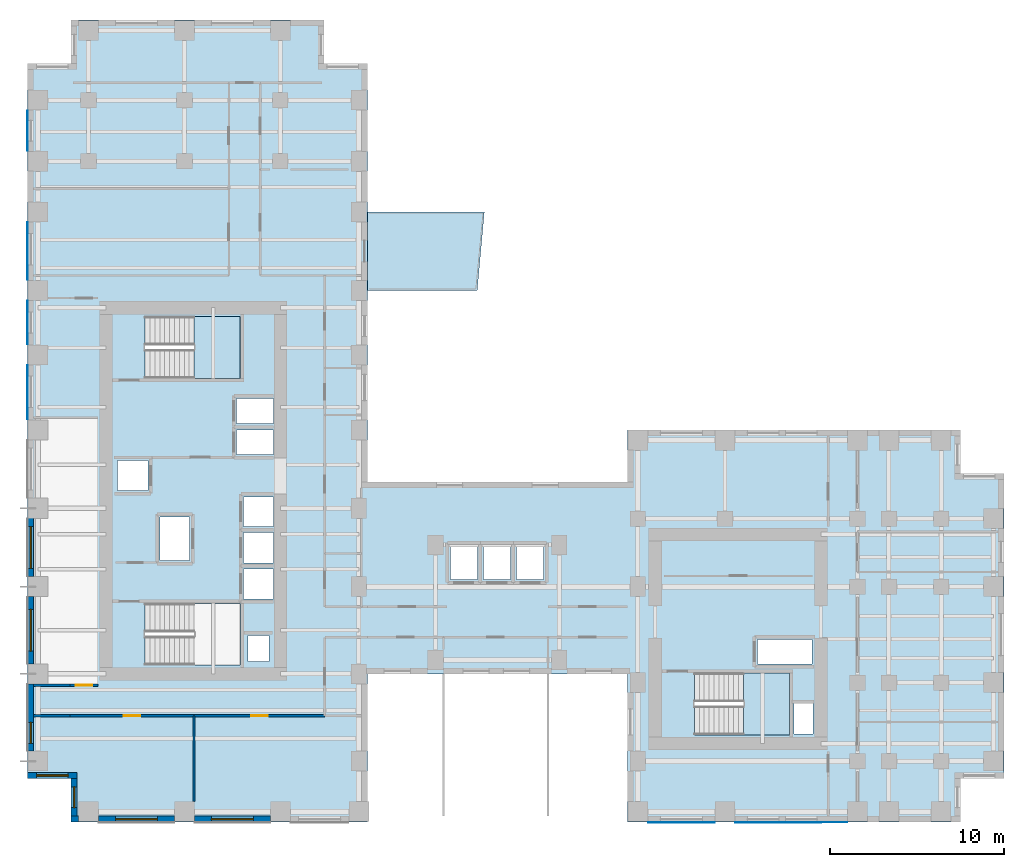
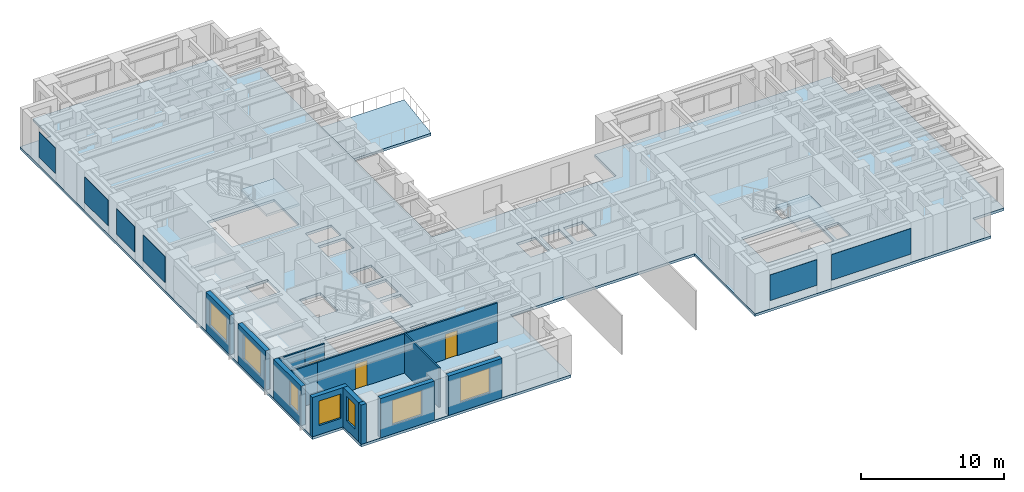
# One storey, part 3 of 11: 14 walls, 7 windows, 6 plates, 4 slabs, 3 doors, 10 openings, 2 elements without a shape of their own.
"""IFC4 building model written with IfcOpenShell, lengths in metres."""

from ifc_helpers import new_model, si_unit, direction, frame, frame_2d, origin, origin_2d, place, context, subcontext, project, spatial, polyline, rectangle, outline, extrude, source, transform, mapped, material, layer, layer_set, type_object, element, fill, aggregate, save


model = new_model("IFC4")

# Units and contexts
model_context = context("Model", 3, precision=1e-05, world=origin(), true_north=direction((0.0, 1.0)))
body_context = subcontext(model_context, "Body", "Model", "MODEL_VIEW")
ifc_project = project(units=[si_unit("LENGTHUNIT", "METRE"), si_unit("AREAUNIT", "SQUARE_METRE"), si_unit("VOLUMEUNIT", "CUBIC_METRE"), si_unit("PLANEANGLEUNIT", "RADIAN"), si_unit("MASSUNIT", "GRAM", prefix="KILO")], contexts=[model_context])

# Site, building, storey
site_placement = place(None, origin())
site = spatial("IfcSite", under=ifc_project, at=site_placement, CompositionType="ELEMENT")
building_placement = place(site_placement, origin())
building = spatial("IfcBuilding", under=site, at=building_placement, Name="Kharzan Plaza Tower", CompositionType="ELEMENT")
storey_placement = place(building_placement, frame((0.0, 0.0, 113.39990234375)))
storey = spatial("IfcBuildingStorey", under=building, at=storey_placement, Name="L30", CompositionType="ELEMENT", Elevation=113.39990234375)

# Slab
ifc_material_1 = material(Name="Concrete C40/50", Category="concrete")
ifc_layer_1 = layer(ifc_material_1, 0.219970703125)
ifc_layer_set_1 = layer_set([ifc_layer_1], Name="Concrete C40/50")
slab_type_1 = type_object("IfcSlabType", Name="SL-FLOOR-220", PredefinedType="FLOOR", material=ifc_layer_set_1)
slab_1_placement = place(storey_placement, frame((0.0, 0.0, -0.219970703125)))
element("IfcSlab", 1, at=slab_1_placement, inside=storey, type_object=slab_type_1, Name="L30 Composite Structural Floor Slab 220 mm", PredefinedType="FLOOR", context=body_context, shape_type="SweptSolid", body=[
    extrude(outline(polyline([(34.39990234375, 19.5), (19.5, 19.5), (19.5, 43.5), (17.0, 43.5), (17.0, 46.0), (2.5, 46.0), (2.5, 43.5), (0.0, 43.5), (0.0, 2.5), (2.5, 2.5), (2.5, 0.0), (19.5, 0.0), (19.5, 8.5), (34.39990234375, 8.5), (34.39990234375, 0.0), (53.5, 0.0), (53.5, 2.5), (56.0, 2.5), (56.0, 20.0), (53.5, 20.0), (53.5, 22.5), (34.39990234375, 22.5), (34.39990234375, 19.5)]), holes=[polyline([(12.199951171875, 9.0), (12.199951171875, 12.550048828125), (6.75, 12.550048828125), (6.75, 9.0), (12.199951171875, 9.0)]), polyline([(14.10009765625, 12.800048828125), (14.10009765625, 14.530029296875), (12.39990234375, 14.530029296875), (12.39990234375, 12.800048828125), (14.10009765625, 12.800048828125)]), polyline([(14.10009765625, 14.8701171875), (14.10009765625, 16.60009765625), (12.39990234375, 16.60009765625), (12.39990234375, 14.8701171875), (14.10009765625, 14.8701171875)]), polyline([(9.300048828125, 15.0), (9.300048828125, 17.5), (7.60009765625, 17.5), (7.60009765625, 15.0), (9.300048828125, 15.0)]), polyline([(6.89990234375, 19.010009765625), (6.89990234375, 20.72998046875), (5.14990234375, 20.72998046875), (5.14990234375, 19.010009765625), (6.89990234375, 19.010009765625)]), polyline([(14.10009765625, 21.070068359375), (14.10009765625, 22.489990234375), (12.0, 22.489990234375), (12.0, 21.070068359375), (14.10009765625, 21.070068359375)]), polyline([(14.10009765625, 22.8701171875), (14.10009765625, 24.2900390625), (12.0, 24.2900390625), (12.0, 22.8701171875), (14.10009765625, 22.8701171875)]), polyline([(12.199951171875, 25.449951171875), (12.199951171875, 29.0), (6.75, 29.0), (6.75, 25.449951171875), (12.199951171875, 25.449951171875)]), polyline([(45.050048828125, 5.050048828125), (45.050048828125, 6.800048828125), (43.949951171875, 6.800048828125), (43.949951171875, 5.050048828125), (45.050048828125, 5.050048828125)]), polyline([(43.699951171875, 5.0), (43.699951171875, 8.550048828125), (38.25, 8.550048828125), (38.25, 5.0), (43.699951171875, 5.0)]), polyline([(45.0, 9.070068359375), (45.0, 10.469970703125), (41.85009765625, 10.469970703125), (41.85009765625, 9.070068359375), (45.0, 9.070068359375)]), polyline([(13.85009765625, 9.199951171875), (13.85009765625, 10.699951171875), (12.64990234375, 10.699951171875), (12.64990234375, 9.199951171875), (13.85009765625, 9.199951171875)]), polyline([(25.800048828125, 13.89990234375), (25.800048828125, 15.85009765625), (24.25, 15.85009765625), (24.25, 13.89990234375), (25.800048828125, 13.89990234375)]), polyline([(27.699951171875, 13.89990234375), (27.699951171875, 15.85009765625), (26.14990234375, 15.85009765625), (26.14990234375, 13.89990234375), (27.699951171875, 13.89990234375)]), polyline([(29.60009765625, 13.89990234375), (29.60009765625, 15.85009765625), (28.050048828125, 15.85009765625), (28.050048828125, 13.89990234375), (29.60009765625, 13.89990234375)]), polyline([(14.10009765625, 16.93994140625), (14.10009765625, 18.64990234375), (12.39990234375, 18.64990234375), (12.39990234375, 16.93994140625), (14.10009765625, 16.93994140625)])]), origin(), (0.0, 0.0, 1.0), 0.219970703125),
])

# Stair, slab
stair_type_1 = type_object("IfcStairType", Name="STR-ST-2", PredefinedType="HALF_TURN_STAIR", material=ifc_material_1)
stair_1_placement = place(storey_placement, origin())
stair_1 = element("IfcStair", 2, at=stair_1_placement, inside=storey, type_object=stair_type_1, Name="L30 Protected Exit Stair ST-2", PredefinedType="HALF_TURN_STAIR")
ifc_layer_2 = layer(ifc_material_1, 0.219970703125)
ifc_layer_set_2 = layer_set([ifc_layer_2], Name="Concrete C40/50")
slab_type_2 = type_object("IfcSlabType", Name="SL-LANDING-220", PredefinedType="LANDING", material=ifc_layer_set_2)
slab_2_placement = place(storey_placement, frame((0.0, 0.0, 1.60009765625)))
slab_2 = element("IfcSlab", 3, at=slab_2_placement, type_object=slab_type_2, Name="ST-2 landing 1", PredefinedType="LANDING", context=body_context, shape_type="SweptSolid", body=[
    extrude(outline(polyline([(9.550048828125, 25.449951171875), (12.199951171875, 25.449951171875), (12.199951171875, 29.0), (9.550048828125, 29.0), (9.550048828125, 25.449951171875)])), origin(), (0.0, 0.0, 1.0), 0.199951171875),
])
aggregate(stair_1, [slab_2])

stair_type_2 = type_object("IfcStairType", Name="STR-ST-3", PredefinedType="HALF_TURN_STAIR", material=ifc_material_1)
stair_2_placement = place(storey_placement, origin())
stair_2 = element("IfcStair", 4, at=stair_2_placement, inside=storey, type_object=stair_type_2, Name="L30 Protected Exit Stair ST-3", PredefinedType="HALF_TURN_STAIR")
slab_3_placement = place(storey_placement, frame((0.0, 0.0, 1.60009765625)))
slab_3 = element("IfcSlab", 5, at=slab_3_placement, type_object=slab_type_2, Name="ST-3 landing 1", PredefinedType="LANDING", context=body_context, shape_type="SweptSolid", body=[
    extrude(outline(polyline([(41.050048828125, 5.0), (43.699951171875, 5.0), (43.699951171875, 8.550048828125), (41.050048828125, 8.550048828125), (41.050048828125, 5.0)])), origin(), (0.0, 0.0, 1.0), 0.199951171875),
])
aggregate(stair_2, [slab_3])

# Slab
ifc_layer_3 = layer(ifc_material_1, 0.215087890625)
ifc_layer_set_3 = layer_set([ifc_layer_3], Name="Concrete C40/50")
slab_type_3 = type_object("IfcSlabType", Name="SL-TRAY-215", PredefinedType="ROOF", material=ifc_layer_set_3)
slab_4_placement = place(storey_placement, frame((0.0, 0.0, -0.21484375)))
element("IfcSlab", 6, at=slab_4_placement, inside=storey, type_object=slab_type_3, Name="L30 Sky Terrace Tray Slab", PredefinedType="ROOF", context=body_context, shape_type="SweptSolid", body=[
    extrude(outline(polyline([(19.5, 30.5), (25.7900390625, 30.5), (26.199951171875, 35.0), (19.5, 35.0), (19.5, 30.5)])), origin(), (0.0, 0.0, 1.0), 0.21484375),
])

# Plates
ifc_material_2 = material(Name="Perforated Bronze-Anodized Aluminium", Category="aluminium")
ifc_layer_4 = layer(ifc_material_2, 0.030029296875)
ifc_layer_set_4 = layer_set([ifc_layer_4], Name="Perforated Bronze-Anodized Aluminium")
plate_type = type_object("IfcPlateType", Name="PLT-MASH-SCREEN", PredefinedType="SHEET", material=ifc_layer_set_4)
shared_shape_1 = source(origin(), body_context, "Body", "SweptSolid", [
    extrude(rectangle(XDim=2.31396484375, YDim=0.030029296875, at=origin_2d()), origin(), (0.0, 0.0, 1.0), 2.199951171875),
])
plate_1_placement = place(storey_placement, frame((-0.012939453125, 39.64990234375, 0.72998046875), z_axis=(0.0, 0.0, 1.0), x_axis=(0.0, -1.0, 0.0)))
element("IfcPlate", 7, at=plate_1_placement, inside=storey, type_object=plate_type, Name="L30 Perforated Mashrabiya Solar Screen", PredefinedType="SHEET", context=body_context, shape_type="MappedRepresentation", body=[
    mapped(shared_shape_1, transform((0.0, 0.0, 0.0), x_axis=(1.0, 0.0, 0.0), y_axis=(0.0, 1.0, 0.0), z_axis=(0.0, 0.0, 1.0))),
])
shared_shape_2 = source(origin(), body_context, "Body", "SweptSolid", [
    extrude(rectangle(XDim=3.31396484375, YDim=0.030029296875, at=origin_2d()), origin(), (0.0, 0.0, 1.0), 2.199951171875),
])
plate_2_placement = place(storey_placement, frame((-0.012939453125, 32.75, 0.72998046875), z_axis=(0.0, 0.0, 1.0), x_axis=(0.0, -1.0, 0.0)))
element("IfcPlate", 8, at=plate_2_placement, inside=storey, type_object=plate_type, Name="L30 Perforated Mashrabiya Solar Screen", PredefinedType="SHEET", context=body_context, shape_type="MappedRepresentation", body=[
    mapped(shared_shape_2, transform((0.0, 0.0, 0.0), x_axis=(1.0, 0.0, 0.0), y_axis=(0.0, 1.0, 0.0), z_axis=(0.0, 0.0, 1.0))),
])
shared_shape_3 = source(origin(), body_context, "Body", "SweptSolid", [
    extrude(rectangle(XDim=2.513916015625, YDim=0.030029296875, at=origin_2d()), origin(), (0.0, 0.0, 1.0), 2.199951171875),
])
plate_3_placement = place(storey_placement, frame((-0.012939453125, 28.64990234375, 0.72998046875), z_axis=(0.0, 0.0, 1.0), x_axis=(0.0, -1.0, 0.0)))
element("IfcPlate", 9, at=plate_3_placement, inside=storey, type_object=plate_type, Name="L30 Perforated Mashrabiya Solar Screen", PredefinedType="SHEET", context=body_context, shape_type="MappedRepresentation", body=[
    mapped(shared_shape_3, transform((0.0, 0.0, 0.0), x_axis=(1.0, 0.0, 0.0), y_axis=(0.0, 1.0, 0.0), z_axis=(0.0, 0.0, 1.0))),
])
shared_shape_4 = source(origin(), body_context, "Body", "SweptSolid", [
    extrude(rectangle(XDim=3.81396484375, YDim=0.030029296875, at=origin_2d()), origin(), (0.0, 0.0, 1.0), 2.199951171875),
])
plate_4_placement = place(storey_placement, frame((37.5, -0.012939453125, 0.72998046875), z_axis=(0.0, 0.0, 1.0), x_axis=(1.0, 0.0, 0.0)))
element("IfcPlate", 10, at=plate_4_placement, inside=storey, type_object=plate_type, Name="L30 Perforated Mashrabiya Solar Screen", PredefinedType="SHEET", context=body_context, shape_type="MappedRepresentation", body=[
    mapped(shared_shape_4, transform((0.0, 0.0, 0.0), x_axis=(1.0, 0.0, 0.0), y_axis=(0.0, 1.0, 0.0), z_axis=(0.0, 0.0, 1.0))),
])
shared_shape_5 = source(origin(), body_context, "Body", "SweptSolid", [
    extrude(rectangle(XDim=6.4140625, YDim=0.030029296875, at=origin_2d()), origin(), (0.0, 0.0, 1.0), 2.199951171875),
])
plate_5_placement = place(storey_placement, frame((43.800048828125, -0.012939453125, 0.72998046875), z_axis=(0.0, 0.0, 1.0), x_axis=(1.0, 0.0, 0.0)))
element("IfcPlate", 11, at=plate_5_placement, inside=storey, type_object=plate_type, Name="L30 Perforated Mashrabiya Solar Screen", PredefinedType="SHEET", context=body_context, shape_type="MappedRepresentation", body=[
    mapped(shared_shape_5, transform((0.0, 0.0, 0.0), x_axis=(1.0, 0.0, 0.0), y_axis=(0.0, 1.0, 0.0), z_axis=(0.0, 0.0, 1.0))),
])
shared_shape_6 = source(origin(), body_context, "Body", "SweptSolid", [
    extrude(rectangle(XDim=3.114013671875, YDim=0.030029296875, at=origin_2d()), origin(), (0.0, 0.0, 1.0), 2.199951171875),
])
plate_6_placement = place(storey_placement, frame((-0.012939453125, 24.64990234375, 0.72998046875), z_axis=(0.0, 0.0, 1.0), x_axis=(0.0, -1.0, 0.0)))
element("IfcPlate", 12, at=plate_6_placement, inside=storey, type_object=plate_type, Name="L30 Perforated Mashrabiya Solar Screen", PredefinedType="SHEET", context=body_context, shape_type="MappedRepresentation", body=[
    mapped(shared_shape_6, transform((0.0, 0.0, 0.0), x_axis=(1.0, 0.0, 0.0), y_axis=(0.0, 1.0, 0.0), z_axis=(0.0, 0.0, 1.0))),
])

# Wall, opening, window
ifc_layer_5 = layer(ifc_material_1, 0.35009765625)
ifc_layer_set_5 = layer_set([ifc_layer_5], Name="Concrete C40/50")
wall_type_1 = type_object("IfcWallType", Name="WL-EXT-MAS-Z2", PredefinedType="SOLIDWALL", material=ifc_layer_set_5)
wall_1_placement = place(storey_placement, frame((0.175048828125, 17.427001953125, 0.0), z_axis=(0.0, 0.0, 1.0), x_axis=(0.0, -1.0, 0.0)))
wall_1 = element("IfcWall", 13, at=wall_1_placement, inside=storey, type_object=wall_type_1, Name="L30 Masonry-Frame Exterior Wall 23", PredefinedType="SOLIDWALL", context=body_context, shape_type="SweptSolid", body=[
    extrude(rectangle(XDim=3.35400390625, YDim=0.35009765625, at=frame_2d((1.677001953125, 0.0))), origin(), (0.0, 0.0, 1.0), 3.364990234375),
])
opening_1_placement = place(wall_1_placement, frame((0.47705078125, 0.0, 0.780029296875)))
opening_1 = element("IfcOpeningElement", 14, at=opening_1_placement, cuts=wall_1, Name="Opening W2", PredefinedType="OPENING", context=body_context, shape_type="SweptSolid", body=[
    extrude(rectangle(XDim=2.39990234375, YDim=2.10009765625, at=frame_2d((1.199951171875, 1.050048828125))), frame((0.0, 0.18505859375, 0.0), z_axis=(0.0, -1.0, 0.0), x_axis=(1.0, 0.0, 0.0)), (0.0, 0.0, 1.0), 0.3701171875),
])
ifc_material_3 = material(Name="Low-E Double Glazing", Category="glass")
window_type_1 = type_object("IfcWindowType", Name="WN-REC-2400x2100", PartitioningType="SINGLE_PANEL", PredefinedType="WINDOW", material=ifc_material_3)
shared_shape_7 = source(origin(), body_context, "Body", "SweptSolid", [
    extrude(rectangle(XDim=2.39990234375, YDim=2.10009765625, at=frame_2d((1.199951171875, 1.050048828125))), frame((0.0, 0.030029296875, 0.0), z_axis=(0.0, -1.0, 0.0), x_axis=(1.0, 0.0, 0.0)), (0.0, 0.0, 1.0), 0.06005859375),
])
window_1_placement = place(opening_1_placement, origin())
window_1 = element("IfcWindow", 15, at=window_1_placement, inside=storey, type_object=window_type_1, Name="L30 Wide Recessed Solar-Control Window 23-1", OverallHeight=2.10009765625, OverallWidth=2.39990234375, PartitioningType="SINGLE_PANEL", PredefinedType="WINDOW", context=body_context, shape_type="MappedRepresentation", body=[
    mapped(shared_shape_7, transform((0.0, 0.0, 0.0), x_axis=(1.0, 0.0, 0.0), y_axis=(0.0, 1.0, 0.0), z_axis=(0.0, 0.0, 1.0))),
])
fill(opening_1, window_1)

wall_2_placement = place(storey_placement, frame((0.175048828125, 12.927001953125, 0.0), z_axis=(0.0, 0.0, 1.0), x_axis=(0.0, -1.0, 0.0)))
wall_2 = element("IfcWall", 16, at=wall_2_placement, inside=storey, type_object=wall_type_1, Name="L30 Masonry-Frame Exterior Wall 24", PredefinedType="SOLIDWALL", context=body_context, shape_type="SweptSolid", body=[
    extrude(rectangle(XDim=3.85400390625, YDim=0.35009765625, at=frame_2d((1.927001953125, 0.0))), origin(), (0.0, 0.0, 1.0), 3.364990234375),
])
opening_2_placement = place(wall_2_placement, frame((0.72705078125, 0.0, 0.780029296875)))
opening_2 = element("IfcOpeningElement", 17, at=opening_2_placement, cuts=wall_2, Name="Opening W2", PredefinedType="OPENING", context=body_context, shape_type="SweptSolid", body=[
    extrude(rectangle(XDim=2.39990234375, YDim=2.10009765625, at=frame_2d((1.199951171875, 1.050048828125))), frame((0.0, 0.18505859375, 0.0), z_axis=(0.0, -1.0, 0.0), x_axis=(1.0, 0.0, 0.0)), (0.0, 0.0, 1.0), 0.3701171875),
])
window_2_placement = place(opening_2_placement, origin())
window_2 = element("IfcWindow", 18, at=window_2_placement, inside=storey, type_object=window_type_1, Name="L30 Wide Recessed Solar-Control Window 24-1", OverallHeight=2.10009765625, OverallWidth=2.39990234375, PartitioningType="SINGLE_PANEL", PredefinedType="WINDOW", context=body_context, shape_type="MappedRepresentation", body=[
    mapped(shared_shape_7, transform((0.0, 0.0, 0.0), x_axis=(1.0, 0.0, 0.0), y_axis=(0.0, 1.0, 0.0), z_axis=(0.0, 0.0, 1.0))),
])
fill(opening_2, window_2)

wall_3_placement = place(storey_placement, frame((0.175048828125, 7.927001953125, 0.0), z_axis=(0.0, 0.0, 1.0), x_axis=(0.0, -1.0, 0.0)))
wall_3 = element("IfcWall", 19, at=wall_3_placement, inside=storey, type_object=wall_type_1, Name="L30 Masonry-Frame Exterior Wall 25", PredefinedType="SOLIDWALL", context=body_context, shape_type="SweptSolid", body=[
    extrude(rectangle(XDim=3.85400390625, YDim=0.35009765625, at=frame_2d((1.927001953125, 0.0))), origin(), (0.0, 0.0, 1.0), 3.364990234375),
])
opening_3_placement = place(wall_3_placement, frame((2.20556640625, 0.0, 0.780029296875)))
opening_3 = element("IfcOpeningElement", 20, at=opening_3_placement, cuts=wall_3, Name="Opening W3", PredefinedType="OPENING", context=body_context, shape_type="SweptSolid", body=[
    extrude(rectangle(XDim=1.199951171875, YDim=2.10009765625, at=frame_2d((0.60009765625, 1.050048828125))), frame((0.0, 0.18505859375, 0.0), z_axis=(0.0, -1.0, 0.0), x_axis=(1.0, 0.0, 0.0)), (0.0, 0.0, 1.0), 0.3701171875),
])
window_type_2 = type_object("IfcWindowType", Name="WN-REC-1200x2100", PartitioningType="SINGLE_PANEL", PredefinedType="WINDOW", material=ifc_material_3)
shared_shape_8 = source(origin(), body_context, "Body", "SweptSolid", [
    extrude(rectangle(XDim=1.199951171875, YDim=2.10009765625, at=frame_2d((0.60009765625, 1.050048828125))), frame((0.0, 0.030029296875, 0.0), z_axis=(0.0, -1.0, 0.0), x_axis=(1.0, 0.0, 0.0)), (0.0, 0.0, 1.0), 0.06005859375),
])
window_3_placement = place(opening_3_placement, origin())
window_3 = element("IfcWindow", 21, at=window_3_placement, inside=storey, type_object=window_type_2, Name="L30 Recessed Solar-Control Window 25-1", OverallHeight=2.10009765625, OverallWidth=1.199951171875, PartitioningType="SINGLE_PANEL", PredefinedType="WINDOW", context=body_context, shape_type="MappedRepresentation", body=[
    mapped(shared_shape_8, transform((0.0, 0.0, 0.0), x_axis=(1.0, 0.0, 0.0), y_axis=(0.0, 1.0, 0.0), z_axis=(0.0, 0.0, 1.0))),
])
fill(opening_3, window_3)

wall_4_placement = place(storey_placement, frame((0.0, 2.675048828125, 0.0), z_axis=(0.0, 0.0, 1.0), x_axis=(1.0, 0.0, 0.0)))
wall_4 = element("IfcWall", 22, at=wall_4_placement, inside=storey, type_object=wall_type_1, Name="L30 Masonry-Frame Exterior Wall 26", PredefinedType="SOLIDWALL", context=body_context, shape_type="SweptSolid", body=[
    extrude(rectangle(XDim=2.85009765625, YDim=0.35009765625, at=frame_2d((1.425048828125, 0.0))), origin(), (0.0, 0.0, 1.0), 3.364990234375),
])
opening_4_placement = place(wall_4_placement, frame((0.52490234375, 0.0, 0.780029296875)))
opening_4 = element("IfcOpeningElement", 23, at=opening_4_placement, cuts=wall_4, Name="Opening W1", PredefinedType="OPENING", context=body_context, shape_type="SweptSolid", body=[
    extrude(rectangle(XDim=1.800048828125, YDim=2.10009765625, at=frame_2d((0.89990234375, 1.050048828125))), frame((0.0, 0.18505859375, 0.0), z_axis=(0.0, -1.0, 0.0), x_axis=(1.0, 0.0, 0.0)), (0.0, 0.0, 1.0), 0.3701171875),
])
window_type_3 = type_object("IfcWindowType", Name="WN-REC-1800x2100", PartitioningType="SINGLE_PANEL", PredefinedType="WINDOW", material=ifc_material_3)
shared_shape_9 = source(origin(), body_context, "Body", "SweptSolid", [
    extrude(rectangle(XDim=1.800048828125, YDim=2.10009765625, at=frame_2d((0.89990234375, 1.050048828125))), frame((0.0, 0.030029296875, 0.0), z_axis=(0.0, -1.0, 0.0), x_axis=(1.0, 0.0, 0.0)), (0.0, 0.0, 1.0), 0.06005859375),
])
window_4_placement = place(opening_4_placement, origin())
window_4 = element("IfcWindow", 24, at=window_4_placement, inside=storey, type_object=window_type_3, Name="L30 Recessed Solar-Control Window 26-1", OverallHeight=2.10009765625, OverallWidth=1.800048828125, PartitioningType="SINGLE_PANEL", PredefinedType="WINDOW", context=body_context, shape_type="MappedRepresentation", body=[
    mapped(shared_shape_9, transform((0.0, 0.0, 0.0), x_axis=(1.0, 0.0, 0.0), y_axis=(0.0, 1.0, 0.0), z_axis=(0.0, 0.0, 1.0))),
])
fill(opening_4, window_4)

wall_5_placement = place(storey_placement, frame((2.675048828125, 2.501953125, 0.0), z_axis=(0.0, 0.0, 1.0), x_axis=(0.0, -1.0, 0.0)))
wall_5 = element("IfcWall", 25, at=wall_5_placement, inside=storey, type_object=wall_type_1, Name="L30 Masonry-Frame Exterior Wall 27", PredefinedType="SOLIDWALL", context=body_context, shape_type="SweptSolid", body=[
    extrude(rectangle(XDim=2.154052734375, YDim=0.35009765625, at=frame_2d((1.0771484375, 0.0))), origin(), (0.0, 0.0, 1.0), 3.364990234375),
])
opening_5_placement = place(wall_5_placement, frame((0.47705078125, 0.0, 0.780029296875)))
opening_5 = element("IfcOpeningElement", 26, at=opening_5_placement, cuts=wall_5, Name="Opening W3", PredefinedType="OPENING", context=body_context, shape_type="SweptSolid", body=[
    extrude(rectangle(XDim=1.199951171875, YDim=2.10009765625, at=frame_2d((0.60009765625, 1.050048828125))), frame((0.0, 0.18505859375, 0.0), z_axis=(0.0, -1.0, 0.0), x_axis=(1.0, 0.0, 0.0)), (0.0, 0.0, 1.0), 0.3701171875),
])
window_5_placement = place(opening_5_placement, origin())
window_5 = element("IfcWindow", 27, at=window_5_placement, inside=storey, type_object=window_type_2, Name="L30 Recessed Solar-Control Window 27-1", OverallHeight=2.10009765625, OverallWidth=1.199951171875, PartitioningType="SINGLE_PANEL", PredefinedType="WINDOW", context=body_context, shape_type="MappedRepresentation", body=[
    mapped(shared_shape_8, transform((0.0, 0.0, 0.0), x_axis=(1.0, 0.0, 0.0), y_axis=(0.0, 1.0, 0.0), z_axis=(0.0, 0.0, 1.0))),
])
fill(opening_5, window_5)

wall_6_placement = place(storey_placement, frame((4.072998046875, 0.175048828125, 0.0), z_axis=(0.0, 0.0, 1.0), x_axis=(1.0, 0.0, 0.0)))
wall_6 = element("IfcWall", 28, at=wall_6_placement, inside=storey, type_object=wall_type_1, Name="L30 Masonry-Frame Exterior Wall 29", PredefinedType="SOLIDWALL", context=body_context, shape_type="SweptSolid", body=[
    extrude(rectangle(XDim=4.35400390625, YDim=0.35009765625, at=frame_2d((2.177001953125, 0.0))), origin(), (0.0, 0.0, 1.0), 3.364990234375),
])
opening_6_placement = place(wall_6_placement, frame((0.97705078125, 0.0, 0.780029296875)))
opening_6 = element("IfcOpeningElement", 29, at=opening_6_placement, cuts=wall_6, Name="Opening W2", PredefinedType="OPENING", context=body_context, shape_type="SweptSolid", body=[
    extrude(rectangle(XDim=2.39990234375, YDim=2.10009765625, at=frame_2d((1.199951171875, 1.050048828125))), frame((0.0, 0.18505859375, 0.0), z_axis=(0.0, -1.0, 0.0), x_axis=(1.0, 0.0, 0.0)), (0.0, 0.0, 1.0), 0.3701171875),
])
window_6_placement = place(opening_6_placement, origin())
window_6 = element("IfcWindow", 30, at=window_6_placement, inside=storey, type_object=window_type_1, Name="L30 Wide Recessed Solar-Control Window 29-1", OverallHeight=2.10009765625, OverallWidth=2.39990234375, PartitioningType="SINGLE_PANEL", PredefinedType="WINDOW", context=body_context, shape_type="MappedRepresentation", body=[
    mapped(shared_shape_7, transform((0.0, 0.0, 0.0), x_axis=(1.0, 0.0, 0.0), y_axis=(0.0, 1.0, 0.0), z_axis=(0.0, 0.0, 1.0))),
])
fill(opening_6, window_6)

wall_7_placement = place(storey_placement, frame((9.572998046875, 0.175048828125, 0.0), z_axis=(0.0, 0.0, 1.0), x_axis=(1.0, 0.0, 0.0)))
wall_7 = element("IfcWall", 31, at=wall_7_placement, inside=storey, type_object=wall_type_1, Name="L30 Masonry-Frame Exterior Wall 30", PredefinedType="SOLIDWALL", context=body_context, shape_type="SweptSolid", body=[
    extrude(rectangle(XDim=4.35400390625, YDim=0.35009765625, at=frame_2d((2.177001953125, 0.0))), origin(), (0.0, 0.0, 1.0), 3.364990234375),
])
opening_7_placement = place(wall_7_placement, frame((0.97705078125, 0.0, 0.780029296875)))
opening_7 = element("IfcOpeningElement", 32, at=opening_7_placement, cuts=wall_7, Name="Opening W2", PredefinedType="OPENING", context=body_context, shape_type="SweptSolid", body=[
    extrude(rectangle(XDim=2.39990234375, YDim=2.10009765625, at=frame_2d((1.199951171875, 1.050048828125))), frame((0.0, 0.18505859375, 0.0), z_axis=(0.0, -1.0, 0.0), x_axis=(1.0, 0.0, 0.0)), (0.0, 0.0, 1.0), 0.3701171875),
])
window_7_placement = place(opening_7_placement, origin())
window_7 = element("IfcWindow", 33, at=window_7_placement, inside=storey, type_object=window_type_1, Name="L30 Wide Recessed Solar-Control Window 30-1", OverallHeight=2.10009765625, OverallWidth=2.39990234375, PartitioningType="SINGLE_PANEL", PredefinedType="WINDOW", context=body_context, shape_type="MappedRepresentation", body=[
    mapped(shared_shape_7, transform((0.0, 0.0, 0.0), x_axis=(1.0, 0.0, 0.0), y_axis=(0.0, 1.0, 0.0), z_axis=(0.0, 0.0, 1.0))),
])
fill(opening_7, window_7)

# Wall, opening, door
ifc_material_4 = material(Name="Fire-Rated Gypsum Board Partition", Category="gypsum")
ifc_layer_6 = layer(ifc_material_4, 0.125)
ifc_layer_set_6 = layer_set([ifc_layer_6], Name="Fire-Rated Gypsum Board Partition")
wall_type_2 = type_object("IfcWallType", Name="WL-INT-PART-125", PredefinedType="PARTITIONING", material=ifc_layer_set_6)
wall_8_placement = place(storey_placement, frame((2.449951171875, 7.85009765625, 0.0), z_axis=(0.0, 0.0, 1.0), x_axis=(1.0, 0.0, 0.0)))
wall_8 = element("IfcWall", 34, at=wall_8_placement, inside=storey, type_object=wall_type_2, Name="L30 Interior Partition SH-RWSD", PredefinedType="PARTITIONING", context=body_context, shape_type="SweptSolid", body=[
    extrude(rectangle(XDim=1.60009765625, YDim=0.125, at=frame_2d((0.800048828125, 0.0))), origin(), (0.0, 0.0, 1.0), 3.364990234375),
])
opening_8_placement = place(wall_8_placement, frame((0.324951171875, 0.0, 0.0)))
opening_8 = element("IfcOpeningElement", 35, at=opening_8_placement, cuts=wall_8, Name="Opening OD1", PredefinedType="OPENING", context=body_context, shape_type="SweptSolid", body=[
    extrude(rectangle(XDim=0.949951171875, YDim=2.14990234375, at=frame_2d((0.47509765625, 1.074951171875))), frame((0.0, 0.072509765625, 0.0), z_axis=(0.0, -1.0, 0.0), x_axis=(1.0, 0.0, 0.0)), (0.0, 0.0, 1.0), 0.14501953125),
])
ifc_material_5 = material(Name="Acoustic Solid-Core Stained Oak", Category="timber")
door_type = type_object("IfcDoorType", Name="DR-OFF-SINGLE", OperationType="NOTDEFINED", PredefinedType="DOOR", material=ifc_material_5)
shared_shape_10 = source(origin(), body_context, "Body", "SweptSolid", [
    extrude(rectangle(XDim=0.949951171875, YDim=2.14990234375, at=frame_2d((0.47509765625, 1.074951171875))), frame((0.0, 0.02490234375, 0.0), z_axis=(0.0, -1.0, 0.0), x_axis=(1.0, 0.0, 0.0)), (0.0, 0.0, 1.0), 0.050048828125),
])
door_1_placement = place(opening_8_placement, origin())
door_1 = element("IfcDoor", 36, at=door_1_placement, inside=storey, type_object=door_type, Name="L30 West Office 1 Door", OperationType="SINGLE_SWING_LEFT", OverallHeight=2.14990234375, OverallWidth=0.949951171875, PredefinedType="DOOR", context=body_context, shape_type="MappedRepresentation", body=[
    mapped(shared_shape_10, transform((0.0, 0.0, 0.0), x_axis=(1.0, 0.0, 0.0), y_axis=(0.0, 1.0, 0.0), z_axis=(0.0, 0.0, 1.0))),
])
fill(opening_8, door_1)

wall_9_placement = place(storey_placement, frame((2.449951171875, 6.10009765625, 0.0), z_axis=(0.0, 0.0, 1.0), x_axis=(1.0, 0.0, 0.0)))
wall_9 = element("IfcWall", 37, at=wall_9_placement, inside=storey, type_object=wall_type_2, Name="L30 Interior Partition SH-SS-1", PredefinedType="PARTITIONING", context=body_context, shape_type="SweptSolid", body=[
    extrude(rectangle(XDim=7.10107421875, YDim=0.125, at=frame_2d((3.550537109375, 0.0))), origin(), (0.0, 0.0, 1.0), 3.364990234375),
])
opening_9_placement = place(wall_9_placement, frame((3.075439453125, 0.0, 0.0)))
opening_9 = element("IfcOpeningElement", 38, at=opening_9_placement, cuts=wall_9, Name="Opening OD1", PredefinedType="OPENING", context=body_context, shape_type="SweptSolid", body=[
    extrude(rectangle(XDim=0.949951171875, YDim=2.14990234375, at=frame_2d((0.47509765625, 1.074951171875))), frame((0.0, 0.072509765625, 0.0), z_axis=(0.0, -1.0, 0.0), x_axis=(1.0, 0.0, 0.0)), (0.0, 0.0, 1.0), 0.14501953125),
])
door_2_placement = place(opening_9_placement, origin())
door_2 = element("IfcDoor", 39, at=door_2_placement, inside=storey, type_object=door_type, Name="L30 Corporate Secretariat Office Door", OperationType="SINGLE_SWING_LEFT", OverallHeight=2.14990234375, OverallWidth=0.949951171875, PredefinedType="DOOR", context=body_context, shape_type="MappedRepresentation", body=[
    mapped(shared_shape_10, transform((0.0, 0.0, 0.0), x_axis=(1.0, 0.0, 0.0), y_axis=(0.0, 1.0, 0.0), z_axis=(0.0, 0.0, 1.0))),
])
fill(opening_9, door_2)

wall_10_placement = place(storey_placement, frame((9.551025390625, 6.10009765625, 0.0), z_axis=(0.0, 0.0, 1.0), x_axis=(1.0, 0.0, 0.0)))
wall_10 = element("IfcWall", 40, at=wall_10_placement, inside=storey, type_object=wall_type_2, Name="L30 Interior Partition SH-SS-2", PredefinedType="PARTITIONING", context=body_context, shape_type="SweptSolid", body=[
    extrude(rectangle(XDim=7.4990234375, YDim=0.125, at=frame_2d((3.74951171875, 0.0))), origin(), (0.0, 0.0, 1.0), 3.364990234375),
])
opening_10_placement = place(wall_10_placement, frame((3.2744140625, 0.0, 0.0)))
opening_10 = element("IfcOpeningElement", 41, at=opening_10_placement, cuts=wall_10, Name="Opening OD1", PredefinedType="OPENING", context=body_context, shape_type="SweptSolid", body=[
    extrude(rectangle(XDim=0.949951171875, YDim=2.14990234375, at=frame_2d((0.47509765625, 1.074951171875))), frame((0.0, 0.072509765625, 0.0), z_axis=(0.0, -1.0, 0.0), x_axis=(1.0, 0.0, 0.0)), (0.0, 0.0, 1.0), 0.14501953125),
])
door_3_placement = place(opening_10_placement, origin())
door_3 = element("IfcDoor", 42, at=door_3_placement, inside=storey, type_object=door_type, Name="L30 Executive Tea Pantry Door", OperationType="SINGLE_SWING_RIGHT", OverallHeight=2.14990234375, OverallWidth=0.949951171875, PredefinedType="DOOR", context=body_context, shape_type="MappedRepresentation", body=[
    mapped(shared_shape_10, transform((0.0, 0.0, 0.0), x_axis=(1.0, 0.0, 0.0), y_axis=(0.0, 1.0, 0.0), z_axis=(0.0, 0.0, 1.0))),
])
fill(opening_10, door_3)

# Walls
shared_shape_11 = source(origin(), body_context, "Body", "SweptSolid", [
    extrude(rectangle(XDim=2.097900390625, YDim=0.125, at=frame_2d((1.048828125, 0.0))), origin(), (0.0, 0.0, 1.0), 3.364990234375),
])
for number, where, z_axis, x_axis, name in (
    (43, (0.35205078125, 7.85009765625, 0.0), (0.0, 0.0, 1.0), (1.0, 0.0, 0.0), "L30 Interior Partition SH-RWS0"),
    (44, (0.35205078125, 6.10009765625, 0.0), (0.0, 0.0, 1.0), (1.0, 0.0, 0.0), "L30 Interior Partition SH-SS-EXT"),
):
    element("IfcWall", number, at=place(storey_placement, frame(where, z_axis=z_axis, x_axis=x_axis)), inside=storey, type_object=wall_type_2, Name=name, PredefinedType="PARTITIONING", context=body_context, shape_type="MappedRepresentation", body=[
        mapped(shared_shape_11, transform((0.0, 0.0, 0.0), x_axis=(1.0, 0.0, 0.0), y_axis=(0.0, 1.0, 0.0), z_axis=(0.0, 0.0, 1.0))),
    ])
shared_shape_12 = source(origin(), body_context, "Body", "SweptSolid", [
    extrude(rectangle(XDim=0.427001953125, YDim=0.35009765625, at=frame_2d((0.21337890625, 0.0))), origin(), (0.0, 0.0, 1.0), 3.364990234375),
])
wall_11_placement = place(storey_placement, frame((2.5, 0.175048828125, 0.0), z_axis=(0.0, 0.0, 1.0), x_axis=(1.0, 0.0, 0.0)))
element("IfcWall", 45, at=wall_11_placement, inside=storey, type_object=wall_type_1, Name="L30 Masonry-Frame Exterior Wall 28", PredefinedType="SOLIDWALL", context=body_context, shape_type="MappedRepresentation", body=[
    mapped(shared_shape_12, transform((0.0, 0.0, 0.0), x_axis=(1.0, 0.0, 0.0), y_axis=(0.0, 1.0, 0.0), z_axis=(0.0, 0.0, 1.0))),
])
shared_shape_13 = source(origin(), body_context, "Body", "SweptSolid", [
    extrude(rectangle(XDim=4.91015625, YDim=0.125, at=frame_2d((2.455078125, 0.0))), origin(), (0.0, 0.0, 1.0), 3.364990234375),
])
wall_12_placement = place(storey_placement, frame((9.551025390625, 1.18994140625, 0.0), z_axis=(0.0, 0.0, 1.0), x_axis=(0.0, 1.0, 0.0)))
element("IfcWall", 46, at=wall_12_placement, inside=storey, type_object=wall_type_2, Name="L30 Interior Partition SH-SV-1", PredefinedType="PARTITIONING", context=body_context, shape_type="MappedRepresentation", body=[
    mapped(shared_shape_13, transform((0.0, 0.0, 0.0), x_axis=(1.0, 0.0, 0.0), y_axis=(0.0, 1.0, 0.0), z_axis=(0.0, 0.0, 1.0))),
])

save(model, "model.ifc")
